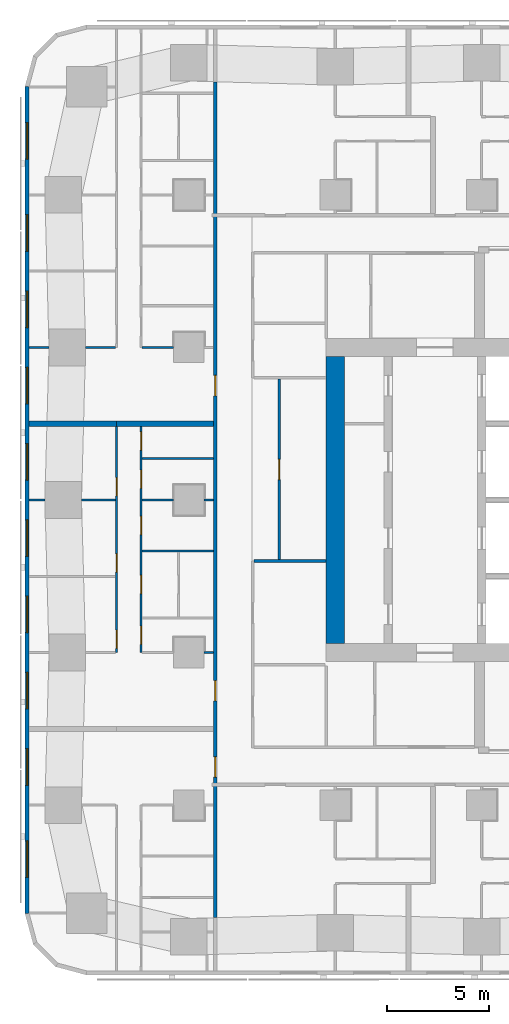
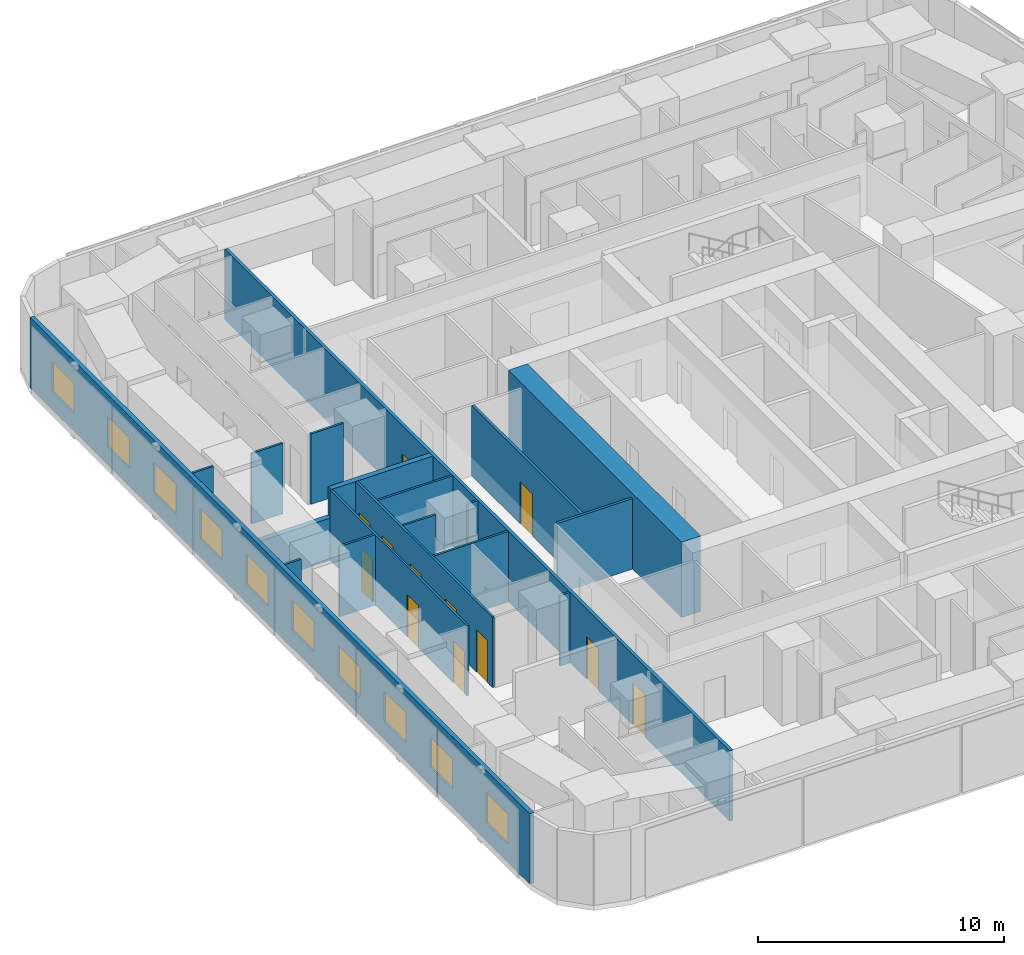
# One storey, part 5 of 15: 19 walls, 12 doors, 10 windows, 22 openings.
"""IFC4 building model written with IfcOpenShell, lengths in metres."""

from ifc_helpers import new_model, si_unit, direction, frame, frame_2d, origin, place, context, subcontext, project, spatial, rectangle, extrude, material, layer, layer_set, type_object, element, fill, save


model = new_model("IFC4")

# Units and contexts
model_context = context("Model", 3, precision=1e-05, world=origin(), true_north=direction((0.0, 1.0)))
body_context = subcontext(model_context, "Body", "Model", "MODEL_VIEW")
ifc_project = project(units=[si_unit("LENGTHUNIT", "METRE"), si_unit("AREAUNIT", "SQUARE_METRE"), si_unit("VOLUMEUNIT", "CUBIC_METRE"), si_unit("PLANEANGLEUNIT", "RADIAN"), si_unit("MASSUNIT", "GRAM", prefix="KILO")], contexts=[model_context])

# Site, building, storey
site_placement = place(None, origin())
site = spatial("IfcSite", under=ifc_project, at=site_placement, CompositionType="ELEMENT")
building_placement = place(site_placement, origin())
building = spatial("IfcBuilding", under=site, at=building_placement, Name="Sheger Commons Tower", CompositionType="ELEMENT")
storey_placement = place(building_placement, frame((0.0, 0.0, 158.300048828125)))
storey = spatial("IfcBuildingStorey", under=building, at=storey_placement, Name="L40", CompositionType="ELEMENT", Elevation=158.300048828125)

# Wall
ifc_material_1 = material(Name="Concrete C50/60", Category="concrete")
ifc_layer_1 = layer(ifc_material_1, 0.89990234375)
ifc_layer_set_1 = layer_set([ifc_layer_1], Name="CORE WALL 900")
wall_type_1 = type_object("IfcWallType", Name="CORE WALL 900", PredefinedType="SHEAR", material=ifc_layer_set_1)
wall_1_placement = place(storey_placement, frame((14.39990234375, 15.449951171875, 0.0), z_axis=(0.0, 0.0, 1.0), x_axis=(0.0, 1.0, 0.0)))
element("IfcWall", 1, at=wall_1_placement, inside=storey, type_object=wall_type_1, Name="Core wall west L40", PredefinedType="SHEAR", context=body_context, shape_type="SweptSolid", body=[
    extrude(rectangle(XDim=14.10009765625, YDim=0.89990234375, at=frame_2d((7.050048828125, 0.0))), origin(), (0.0, 0.0, 1.0), 3.75),
])

# Wall, openings, doors
ifc_material_2 = material(Name="Hollow concrete block masonry, skimmed both sides", Category="masonry")
ifc_layer_2 = layer(ifc_material_2, 0.14990234375)
ifc_layer_set_2 = layer_set([ifc_layer_2], Name="CORRIDOR WALL 150")
wall_type_2 = type_object("IfcWallType", Name="CORRIDOR WALL 150", PredefinedType="SOLIDWALL", material=ifc_layer_set_2)
wall_2_placement = place(storey_placement, frame((8.5, 1.964111328125, 0.0), z_axis=(0.0, 0.0, 1.0), x_axis=(0.0, 1.0, 0.0)))
wall_2 = element("IfcWall", 2, at=wall_2_placement, inside=storey, type_object=wall_type_2, Name="Corridor wall L40", PredefinedType="SOLIDWALL", context=body_context, shape_type="SweptSolid", body=[
    extrude(rectangle(XDim=41.096923828125, YDim=0.14990234375, at=frame_2d((20.54833984375, 0.0))), origin(), (0.0, 0.0, 1.0), 3.5),
])
opening_1_placement = place(wall_2_placement, frame((6.910888671875, 0.0, 0.0)))
opening_1 = element("IfcOpeningElement", 3, at=opening_1_placement, cuts=wall_2, Name="Opening D1", PredefinedType="OPENING", context=body_context, shape_type="SweptSolid", body=[
    extrude(rectangle(XDim=1.0, YDim=2.10009765625, at=frame_2d((0.5, 1.050048828125))), frame((0.0, 0.0849609375, 0.0), z_axis=(0.0, -1.0, 0.0), x_axis=(1.0, 0.0, 0.0)), (0.0, 0.0, 1.0), 0.169921875),
])
opening_2_placement = place(wall_2_placement, frame((10.660888671875, 0.0, 0.0)))
opening_2 = element("IfcOpeningElement", 4, at=opening_2_placement, cuts=wall_2, Name="Opening D1", PredefinedType="OPENING", context=body_context, shape_type="SweptSolid", body=[
    extrude(rectangle(XDim=1.0, YDim=2.10009765625, at=frame_2d((0.5, 1.050048828125))), frame((0.0, 0.0849609375, 0.0), z_axis=(0.0, -1.0, 0.0), x_axis=(1.0, 0.0, 0.0)), (0.0, 0.0, 1.0), 0.169921875),
])
opening_3_placement = place(wall_2_placement, frame((25.660888671875, 0.0, 0.0)))
opening_3 = element("IfcOpeningElement", 5, at=opening_3_placement, cuts=wall_2, Name="Opening D1", PredefinedType="OPENING", context=body_context, shape_type="SweptSolid", body=[
    extrude(rectangle(XDim=1.0, YDim=2.10009765625, at=frame_2d((0.5, 1.050048828125))), frame((0.0, 0.0849609375, 0.0), z_axis=(0.0, -1.0, 0.0), x_axis=(1.0, 0.0, 0.0)), (0.0, 0.0, 1.0), 0.169921875),
])
ifc_material_3 = material(Name="Steel door set, fire rated", Category="steel")
door_type_1 = type_object("IfcDoorType", Name="FLAT ENTRANCE DOOR 1000x2100", OperationType="NOTDEFINED", PredefinedType="DOOR", material=ifc_material_3)
door_1_placement = place(opening_1_placement, origin())
door_1 = element("IfcDoor", 6, at=door_1_placement, inside=storey, type_object=door_type_1, Name="Flat entrance door", OperationType="SINGLE_SWING_RIGHT", OverallHeight=2.10009765625, OverallWidth=1.0, PredefinedType="DOOR", context=body_context, shape_type="SweptSolid", body=[
    extrude(rectangle(XDim=1.0, YDim=2.10009765625, at=frame_2d((0.5, 1.050048828125))), frame((0.0, 0.02490234375, 0.0), z_axis=(0.0, -1.0, 0.0), x_axis=(1.0, 0.0, 0.0)), (0.0, 0.0, 1.0), 0.050048828125),
])
fill(opening_1, door_1)
door_2_placement = place(opening_2_placement, origin())
door_2 = element("IfcDoor", 7, at=door_2_placement, inside=storey, type_object=door_type_1, Name="Flat entrance door", OperationType="SINGLE_SWING_LEFT", OverallHeight=2.10009765625, OverallWidth=1.0, PredefinedType="DOOR", context=body_context, shape_type="SweptSolid", body=[
    extrude(rectangle(XDim=1.0, YDim=2.10009765625, at=frame_2d((0.5, 1.050048828125))), frame((0.0, 0.02490234375, 0.0), z_axis=(0.0, -1.0, 0.0), x_axis=(1.0, 0.0, 0.0)), (0.0, 0.0, 1.0), 0.050048828125),
])
fill(opening_2, door_2)
door_3_placement = place(opening_3_placement, origin())
door_3 = element("IfcDoor", 8, at=door_3_placement, inside=storey, type_object=door_type_1, Name="Flat entrance door", OperationType="SINGLE_SWING_RIGHT", OverallHeight=2.10009765625, OverallWidth=1.0, PredefinedType="DOOR", context=body_context, shape_type="SweptSolid", body=[
    extrude(rectangle(XDim=1.0, YDim=2.10009765625, at=frame_2d((0.5, 1.050048828125))), frame((0.0, 0.02490234375, 0.0), z_axis=(0.0, -1.0, 0.0), x_axis=(1.0, 0.0, 0.0)), (0.0, 0.0, 1.0), 0.050048828125),
])
fill(opening_3, door_3)

# Walls
ifc_material_4 = material(Name="Dense concrete block masonry, plastered both sides (separating wall between flats)", Category="masonry")
ifc_layer_3 = layer(ifc_material_4, 0.25)
ifc_layer_set_3 = layer_set([ifc_layer_3], Name="DEMISING WALL 250")
wall_type_3 = type_object("IfcWallType", Name="DEMISING WALL 250", PredefinedType="SOLIDWALL", material=ifc_layer_set_3)
wall_3_placement = place(storey_placement, frame((-0.64990234375, 26.25, 0.0), z_axis=(0.0, 0.0, 1.0), x_axis=(1.0, 0.0, 0.0)))
element("IfcWall", 9, at=wall_3_placement, inside=storey, type_object=wall_type_3, Name="Demising wall L40", PredefinedType="SOLIDWALL", context=body_context, shape_type="SweptSolid", body=[
    extrude(rectangle(XDim=4.2998046875, YDim=0.25, at=frame_2d((2.14990234375, 0.0))), origin(), (0.0, 0.0, 1.0), 2.099853515625),
])
wall_4_placement = place(storey_placement, frame((3.64990234375, 26.25, 0.0), z_axis=(0.0, 0.0, 1.0), x_axis=(1.0, 0.0, 0.0)))
element("IfcWall", 10, at=wall_4_placement, inside=storey, type_object=wall_type_3, Name="Demising wall L40", PredefinedType="SOLIDWALL", context=body_context, shape_type="SweptSolid", body=[
    extrude(rectangle(XDim=4.775146484375, YDim=0.25, at=frame_2d((2.3876953125, 0.0))), origin(), (0.0, 0.0, 1.0), 3.5),
])

# Wall, openings, windows
ifc_material_5 = material(Name="Rendered concrete block masonry, dark grey", Category="masonry")
ifc_layer_4 = layer(ifc_material_5, 0.199951171875)
ifc_layer_set_4 = layer_set([ifc_layer_4], Name="FACADE WALL 200")
wall_type_4 = type_object("IfcWallType", Name="FACADE WALL 200", PredefinedType="SOLIDWALL", material=ifc_layer_set_4)
wall_5_placement = place(storey_placement, frame((-0.75, 42.8369140625, 0.0), z_axis=(0.0, 0.0, 1.0), x_axis=(0.0, -1.0, 0.0)))
wall_5 = element("IfcWall", 11, at=wall_5_placement, inside=storey, type_object=wall_type_4, Name="Facade wall L40", PredefinedType="SOLIDWALL", context=body_context, shape_type="SweptSolid", body=[
    extrude(rectangle(XDim=40.673828125, YDim=0.199951171875, at=frame_2d((20.3369140625, 0.0))), origin(), (0.0, 0.0, 1.0), 3.5),
])
opening_4_placement = place(wall_5_placement, frame((1.780029296875, 0.0, 0.89990234375)))
opening_4 = element("IfcOpeningElement", 12, at=opening_4_placement, cuts=wall_5, Name="Opening W2", PredefinedType="OPENING", context=body_context, shape_type="SweptSolid", body=[
    extrude(rectangle(XDim=1.800048828125, YDim=1.5, at=frame_2d((0.89990234375, 0.75))), frame((0.0, 0.10986328125, 0.0), z_axis=(0.0, -1.0, 0.0), x_axis=(1.0, 0.0, 0.0)), (0.0, 0.0, 1.0), 0.219970703125),
])
opening_5_placement = place(wall_5_placement, frame((6.31201171875, 0.0, 0.89990234375)))
opening_5 = element("IfcOpeningElement", 13, at=opening_5_placement, cuts=wall_5, Name="Opening W2", PredefinedType="OPENING", context=body_context, shape_type="SweptSolid", body=[
    extrude(rectangle(XDim=1.800048828125, YDim=1.5, at=frame_2d((0.89990234375, 0.75))), frame((0.0, 0.10986328125, 0.0), z_axis=(0.0, -1.0, 0.0), x_axis=(1.0, 0.0, 0.0)), (0.0, 0.0, 1.0), 0.219970703125),
])
opening_6_placement = place(wall_5_placement, frame((10.06201171875, 0.0, 0.89990234375)))
opening_6 = element("IfcOpeningElement", 14, at=opening_6_placement, cuts=wall_5, Name="Opening W2", PredefinedType="OPENING", context=body_context, shape_type="SweptSolid", body=[
    extrude(rectangle(XDim=1.800048828125, YDim=1.5, at=frame_2d((0.89990234375, 0.75))), frame((0.0, 0.10986328125, 0.0), z_axis=(0.0, -1.0, 0.0), x_axis=(1.0, 0.0, 0.0)), (0.0, 0.0, 1.0), 0.219970703125),
])
opening_7_placement = place(wall_5_placement, frame((13.81201171875, 0.0, 0.89990234375)))
opening_7 = element("IfcOpeningElement", 15, at=opening_7_placement, cuts=wall_5, Name="Opening W2", PredefinedType="OPENING", context=body_context, shape_type="SweptSolid", body=[
    extrude(rectangle(XDim=1.800048828125, YDim=1.5, at=frame_2d((0.89990234375, 0.75))), frame((0.0, 0.10986328125, 0.0), z_axis=(0.0, -1.0, 0.0), x_axis=(1.0, 0.0, 0.0)), (0.0, 0.0, 1.0), 0.219970703125),
])
opening_8_placement = place(wall_5_placement, frame((17.56201171875, 0.0, 0.89990234375)))
opening_8 = element("IfcOpeningElement", 16, at=opening_8_placement, cuts=wall_5, Name="Opening W2", PredefinedType="OPENING", context=body_context, shape_type="SweptSolid", body=[
    extrude(rectangle(XDim=1.800048828125, YDim=1.5, at=frame_2d((0.89990234375, 0.75))), frame((0.0, 0.10986328125, 0.0), z_axis=(0.0, -1.0, 0.0), x_axis=(1.0, 0.0, 0.0)), (0.0, 0.0, 1.0), 0.219970703125),
])
opening_9_placement = place(wall_5_placement, frame((21.31201171875, 0.0, 0.89990234375)))
opening_9 = element("IfcOpeningElement", 17, at=opening_9_placement, cuts=wall_5, Name="Opening W2", PredefinedType="OPENING", context=body_context, shape_type="SweptSolid", body=[
    extrude(rectangle(XDim=1.800048828125, YDim=1.5, at=frame_2d((0.89990234375, 0.75))), frame((0.0, 0.10986328125, 0.0), z_axis=(0.0, -1.0, 0.0), x_axis=(1.0, 0.0, 0.0)), (0.0, 0.0, 1.0), 0.219970703125),
])
opening_10_placement = place(wall_5_placement, frame((25.06201171875, 0.0, 0.89990234375)))
opening_10 = element("IfcOpeningElement", 18, at=opening_10_placement, cuts=wall_5, Name="Opening W2", PredefinedType="OPENING", context=body_context, shape_type="SweptSolid", body=[
    extrude(rectangle(XDim=1.800048828125, YDim=1.5, at=frame_2d((0.89990234375, 0.75))), frame((0.0, 0.10986328125, 0.0), z_axis=(0.0, -1.0, 0.0), x_axis=(1.0, 0.0, 0.0)), (0.0, 0.0, 1.0), 0.219970703125),
])
opening_11_placement = place(wall_5_placement, frame((28.81201171875, 0.0, 0.89990234375)))
opening_11 = element("IfcOpeningElement", 19, at=opening_11_placement, cuts=wall_5, Name="Opening W2", PredefinedType="OPENING", context=body_context, shape_type="SweptSolid", body=[
    extrude(rectangle(XDim=1.800048828125, YDim=1.5, at=frame_2d((0.89990234375, 0.75))), frame((0.0, 0.10986328125, 0.0), z_axis=(0.0, -1.0, 0.0), x_axis=(1.0, 0.0, 0.0)), (0.0, 0.0, 1.0), 0.219970703125),
])
opening_12_placement = place(wall_5_placement, frame((32.56201171875, 0.0, 0.89990234375)))
opening_12 = element("IfcOpeningElement", 20, at=opening_12_placement, cuts=wall_5, Name="Opening W2", PredefinedType="OPENING", context=body_context, shape_type="SweptSolid", body=[
    extrude(rectangle(XDim=1.800048828125, YDim=1.5, at=frame_2d((0.89990234375, 0.75))), frame((0.0, 0.10986328125, 0.0), z_axis=(0.0, -1.0, 0.0), x_axis=(1.0, 0.0, 0.0)), (0.0, 0.0, 1.0), 0.219970703125),
])
opening_13_placement = place(wall_5_placement, frame((37.093994140625, 0.0, 0.89990234375)))
opening_13 = element("IfcOpeningElement", 21, at=opening_13_placement, cuts=wall_5, Name="Opening W2", PredefinedType="OPENING", context=body_context, shape_type="SweptSolid", body=[
    extrude(rectangle(XDim=1.800048828125, YDim=1.5, at=frame_2d((0.89990234375, 0.75))), frame((0.0, 0.10986328125, 0.0), z_axis=(0.0, -1.0, 0.0), x_axis=(1.0, 0.0, 0.0)), (0.0, 0.0, 1.0), 0.219970703125),
])
ifc_material_6 = material(Name="Black aluminium frame, dark tinted double glazing", Category="aluminium")
window_type = type_object("IfcWindowType", Name="WINDOW W2 1800x1500", PartitioningType="SINGLE_PANEL", PredefinedType="WINDOW", material=ifc_material_6)
window_1_placement = place(opening_4_placement, origin())
window_1 = element("IfcWindow", 22, at=window_1_placement, inside=storey, type_object=window_type, Name="Window W2 1800X1500", OverallHeight=1.5, OverallWidth=1.800048828125, PartitioningType="SINGLE_PANEL", PredefinedType="WINDOW", context=body_context, shape_type="SweptSolid", body=[
    extrude(rectangle(XDim=1.800048828125, YDim=1.5, at=frame_2d((0.89990234375, 0.75))), frame((0.0, 0.030029296875, 0.0), z_axis=(0.0, -1.0, 0.0), x_axis=(1.0, 0.0, 0.0)), (0.0, 0.0, 1.0), 0.06005859375),
])
fill(opening_4, window_1)
window_2_placement = place(opening_5_placement, origin())
window_2 = element("IfcWindow", 23, at=window_2_placement, inside=storey, type_object=window_type, Name="Window W2 1800X1500", OverallHeight=1.5, OverallWidth=1.800048828125, PartitioningType="SINGLE_PANEL", PredefinedType="WINDOW", context=body_context, shape_type="SweptSolid", body=[
    extrude(rectangle(XDim=1.800048828125, YDim=1.5, at=frame_2d((0.89990234375, 0.75))), frame((0.0, 0.030029296875, 0.0), z_axis=(0.0, -1.0, 0.0), x_axis=(1.0, 0.0, 0.0)), (0.0, 0.0, 1.0), 0.06005859375),
])
fill(opening_5, window_2)
window_3_placement = place(opening_6_placement, origin())
window_3 = element("IfcWindow", 24, at=window_3_placement, inside=storey, type_object=window_type, Name="Window W2 1800X1500", OverallHeight=1.5, OverallWidth=1.800048828125, PartitioningType="SINGLE_PANEL", PredefinedType="WINDOW", context=body_context, shape_type="SweptSolid", body=[
    extrude(rectangle(XDim=1.800048828125, YDim=1.5, at=frame_2d((0.89990234375, 0.75))), frame((0.0, 0.030029296875, 0.0), z_axis=(0.0, -1.0, 0.0), x_axis=(1.0, 0.0, 0.0)), (0.0, 0.0, 1.0), 0.06005859375),
])
fill(opening_6, window_3)
window_4_placement = place(opening_7_placement, origin())
window_4 = element("IfcWindow", 25, at=window_4_placement, inside=storey, type_object=window_type, Name="Window W2 1800X1500", OverallHeight=1.5, OverallWidth=1.800048828125, PartitioningType="SINGLE_PANEL", PredefinedType="WINDOW", context=body_context, shape_type="SweptSolid", body=[
    extrude(rectangle(XDim=1.800048828125, YDim=1.5, at=frame_2d((0.89990234375, 0.75))), frame((0.0, 0.030029296875, 0.0), z_axis=(0.0, -1.0, 0.0), x_axis=(1.0, 0.0, 0.0)), (0.0, 0.0, 1.0), 0.06005859375),
])
fill(opening_7, window_4)
window_5_placement = place(opening_8_placement, origin())
window_5 = element("IfcWindow", 26, at=window_5_placement, inside=storey, type_object=window_type, Name="Window W2 1800X1500", OverallHeight=1.5, OverallWidth=1.800048828125, PartitioningType="SINGLE_PANEL", PredefinedType="WINDOW", context=body_context, shape_type="SweptSolid", body=[
    extrude(rectangle(XDim=1.800048828125, YDim=1.5, at=frame_2d((0.89990234375, 0.75))), frame((0.0, 0.030029296875, 0.0), z_axis=(0.0, -1.0, 0.0), x_axis=(1.0, 0.0, 0.0)), (0.0, 0.0, 1.0), 0.06005859375),
])
fill(opening_8, window_5)
window_6_placement = place(opening_9_placement, origin())
window_6 = element("IfcWindow", 27, at=window_6_placement, inside=storey, type_object=window_type, Name="Window W2 1800X1500", OverallHeight=1.5, OverallWidth=1.800048828125, PartitioningType="SINGLE_PANEL", PredefinedType="WINDOW", context=body_context, shape_type="SweptSolid", body=[
    extrude(rectangle(XDim=1.800048828125, YDim=1.5, at=frame_2d((0.89990234375, 0.75))), frame((0.0, 0.030029296875, 0.0), z_axis=(0.0, -1.0, 0.0), x_axis=(1.0, 0.0, 0.0)), (0.0, 0.0, 1.0), 0.06005859375),
])
fill(opening_9, window_6)
window_7_placement = place(opening_10_placement, origin())
window_7 = element("IfcWindow", 28, at=window_7_placement, inside=storey, type_object=window_type, Name="Window W2 1800X1500", OverallHeight=1.5, OverallWidth=1.800048828125, PartitioningType="SINGLE_PANEL", PredefinedType="WINDOW", context=body_context, shape_type="SweptSolid", body=[
    extrude(rectangle(XDim=1.800048828125, YDim=1.5, at=frame_2d((0.89990234375, 0.75))), frame((0.0, 0.030029296875, 0.0), z_axis=(0.0, -1.0, 0.0), x_axis=(1.0, 0.0, 0.0)), (0.0, 0.0, 1.0), 0.06005859375),
])
fill(opening_10, window_7)
window_8_placement = place(opening_11_placement, origin())
window_8 = element("IfcWindow", 29, at=window_8_placement, inside=storey, type_object=window_type, Name="Window W2 1800X1500", OverallHeight=1.5, OverallWidth=1.800048828125, PartitioningType="SINGLE_PANEL", PredefinedType="WINDOW", context=body_context, shape_type="SweptSolid", body=[
    extrude(rectangle(XDim=1.800048828125, YDim=1.5, at=frame_2d((0.89990234375, 0.75))), frame((0.0, 0.030029296875, 0.0), z_axis=(0.0, -1.0, 0.0), x_axis=(1.0, 0.0, 0.0)), (0.0, 0.0, 1.0), 0.06005859375),
])
fill(opening_11, window_8)
window_9_placement = place(opening_12_placement, origin())
window_9 = element("IfcWindow", 30, at=window_9_placement, inside=storey, type_object=window_type, Name="Window W2 1800X1500", OverallHeight=1.5, OverallWidth=1.800048828125, PartitioningType="SINGLE_PANEL", PredefinedType="WINDOW", context=body_context, shape_type="SweptSolid", body=[
    extrude(rectangle(XDim=1.800048828125, YDim=1.5, at=frame_2d((0.89990234375, 0.75))), frame((0.0, 0.030029296875, 0.0), z_axis=(0.0, -1.0, 0.0), x_axis=(1.0, 0.0, 0.0)), (0.0, 0.0, 1.0), 0.06005859375),
])
fill(opening_12, window_9)
window_10_placement = place(opening_13_placement, origin())
window_10 = element("IfcWindow", 31, at=window_10_placement, inside=storey, type_object=window_type, Name="Window W2 1800X1500", OverallHeight=1.5, OverallWidth=1.800048828125, PartitioningType="SINGLE_PANEL", PredefinedType="WINDOW", context=body_context, shape_type="SweptSolid", body=[
    extrude(rectangle(XDim=1.800048828125, YDim=1.5, at=frame_2d((0.89990234375, 0.75))), frame((0.0, 0.030029296875, 0.0), z_axis=(0.0, -1.0, 0.0), x_axis=(1.0, 0.0, 0.0)), (0.0, 0.0, 1.0), 0.06005859375),
])
fill(opening_13, window_10)

# Wall, openings, doors
ifc_material_7 = material(Name="Gypsum board on steel studs", Category="steel")
ifc_layer_5 = layer(ifc_material_7, 0.10009765625)
ifc_layer_set_5 = layer_set([ifc_layer_5], Name="PARTITION 100")
wall_type_5 = type_object("IfcWallType", Name="PARTITION 100", PredefinedType="PARTITIONING", material=ifc_layer_set_5)
wall_6_placement = place(storey_placement, frame((3.64990234375, 15.0, 0.0), z_axis=(0.0, 0.0, 1.0), x_axis=(0.0, 1.0, 0.0)))
wall_6 = element("IfcWall", 32, at=wall_6_placement, inside=storey, type_object=wall_type_5, Name="Partition L40", PredefinedType="PARTITIONING", context=body_context, shape_type="SweptSolid", body=[
    extrude(rectangle(XDim=11.125, YDim=0.10009765625, at=frame_2d((5.5625, 0.0))), origin(), (0.0, 0.0, 1.0), 3.5),
])
opening_14_placement = place(wall_6_placement, frame((0.199951171875, 0.0, 0.0)))
opening_14 = element("IfcOpeningElement", 33, at=opening_14_placement, cuts=wall_6, Name="Opening D2", PredefinedType="OPENING", context=body_context, shape_type="SweptSolid", body=[
    extrude(rectangle(XDim=0.89990234375, YDim=2.10009765625, at=frame_2d((0.449951171875, 1.050048828125))), frame((0.0, 0.06005859375, 0.0), z_axis=(0.0, -1.0, 0.0), x_axis=(1.0, 0.0, 0.0)), (0.0, 0.0, 1.0), 0.1201171875),
])
opening_15_placement = place(wall_6_placement, frame((3.949951171875, 0.0, 0.0)))
opening_15 = element("IfcOpeningElement", 34, at=opening_15_placement, cuts=wall_6, Name="Opening D2", PredefinedType="OPENING", context=body_context, shape_type="SweptSolid", body=[
    extrude(rectangle(XDim=0.89990234375, YDim=2.10009765625, at=frame_2d((0.449951171875, 1.050048828125))), frame((0.0, 0.06005859375, 0.0), z_axis=(0.0, -1.0, 0.0), x_axis=(1.0, 0.0, 0.0)), (0.0, 0.0, 1.0), 0.1201171875),
])
opening_16_placement = place(wall_6_placement, frame((7.699951171875, 0.0, 0.0)))
opening_16 = element("IfcOpeningElement", 35, at=opening_16_placement, cuts=wall_6, Name="Opening D2", PredefinedType="OPENING", context=body_context, shape_type="SweptSolid", body=[
    extrude(rectangle(XDim=0.89990234375, YDim=2.10009765625, at=frame_2d((0.449951171875, 1.050048828125))), frame((0.0, 0.06005859375, 0.0), z_axis=(0.0, -1.0, 0.0), x_axis=(1.0, 0.0, 0.0)), (0.0, 0.0, 1.0), 0.1201171875),
])
ifc_material_8 = material(Name="Timber door set", Category="wood")
door_type_2 = type_object("IfcDoorType", Name="INTERNAL DOOR 900x2100", OperationType="NOTDEFINED", PredefinedType="DOOR", material=ifc_material_8)
door_4_placement = place(opening_14_placement, origin())
door_4 = element("IfcDoor", 36, at=door_4_placement, inside=storey, type_object=door_type_2, Name="Main bedroom door", OperationType="SINGLE_SWING_LEFT", OverallHeight=2.10009765625, OverallWidth=0.89990234375, PredefinedType="DOOR", context=body_context, shape_type="SweptSolid", body=[
    extrude(rectangle(XDim=0.89990234375, YDim=2.10009765625, at=frame_2d((0.449951171875, 1.050048828125))), frame((0.0, 0.02490234375, 0.0), z_axis=(0.0, -1.0, 0.0), x_axis=(1.0, 0.0, 0.0)), (0.0, 0.0, 1.0), 0.050048828125),
])
fill(opening_14, door_4)
door_5_placement = place(opening_15_placement, origin())
door_5 = element("IfcDoor", 37, at=door_5_placement, inside=storey, type_object=door_type_2, Name="Bedroom 2 door", OperationType="SINGLE_SWING_LEFT", OverallHeight=2.10009765625, OverallWidth=0.89990234375, PredefinedType="DOOR", context=body_context, shape_type="SweptSolid", body=[
    extrude(rectangle(XDim=0.89990234375, YDim=2.10009765625, at=frame_2d((0.449951171875, 1.050048828125))), frame((0.0, 0.02490234375, 0.0), z_axis=(0.0, -1.0, 0.0), x_axis=(1.0, 0.0, 0.0)), (0.0, 0.0, 1.0), 0.050048828125),
])
fill(opening_15, door_5)
door_6_placement = place(opening_16_placement, origin())
door_6 = element("IfcDoor", 38, at=door_6_placement, inside=storey, type_object=door_type_2, Name="Bedroom 3 door", OperationType="SINGLE_SWING_LEFT", OverallHeight=2.10009765625, OverallWidth=0.89990234375, PredefinedType="DOOR", context=body_context, shape_type="SweptSolid", body=[
    extrude(rectangle(XDim=0.89990234375, YDim=2.10009765625, at=frame_2d((0.449951171875, 1.050048828125))), frame((0.0, 0.02490234375, 0.0), z_axis=(0.0, -1.0, 0.0), x_axis=(1.0, 0.0, 0.0)), (0.0, 0.0, 1.0), 0.050048828125),
])
fill(opening_16, door_6)

wall_7_placement = place(storey_placement, frame((4.85009765625, 15.0, 0.0), z_axis=(0.0, 0.0, 1.0), x_axis=(0.0, 1.0, 0.0)))
wall_7 = element("IfcWall", 39, at=wall_7_placement, inside=storey, type_object=wall_type_5, Name="Partition L40", PredefinedType="PARTITIONING", context=body_context, shape_type="SweptSolid", body=[
    extrude(rectangle(XDim=11.125, YDim=0.10009765625, at=frame_2d((5.5625, 0.0))), origin(), (0.0, 0.0, 1.0), 3.5),
])
opening_17_placement = place(wall_7_placement, frame((0.39990234375, 0.0, 0.0)))
opening_17 = element("IfcOpeningElement", 40, at=opening_17_placement, cuts=wall_7, Name="Opening D2", PredefinedType="OPENING", context=body_context, shape_type="SweptSolid", body=[
    extrude(rectangle(XDim=0.89990234375, YDim=2.10009765625, at=frame_2d((0.449951171875, 1.050048828125))), frame((0.0, 0.06005859375, 0.0), z_axis=(0.0, -1.0, 0.0), x_axis=(1.0, 0.0, 0.0)), (0.0, 0.0, 1.0), 0.1201171875),
])
opening_18_placement = place(wall_7_placement, frame((5.799072265625, 0.0, 0.0)))
opening_18 = element("IfcOpeningElement", 41, at=opening_18_placement, cuts=wall_7, Name="Opening D2", PredefinedType="OPENING", context=body_context, shape_type="SweptSolid", body=[
    extrude(rectangle(XDim=0.89990234375, YDim=2.10009765625, at=frame_2d((0.449951171875, 1.050048828125))), frame((0.0, 0.06005859375, 0.0), z_axis=(0.0, -1.0, 0.0), x_axis=(1.0, 0.0, 0.0)), (0.0, 0.0, 1.0), 0.1201171875),
])
opening_19_placement = place(wall_7_placement, frame((8.074951171875, 0.0, 0.0)))
opening_19 = element("IfcOpeningElement", 42, at=opening_19_placement, cuts=wall_7, Name="Opening D2", PredefinedType="OPENING", context=body_context, shape_type="SweptSolid", body=[
    extrude(rectangle(XDim=0.89990234375, YDim=2.10009765625, at=frame_2d((0.449951171875, 1.050048828125))), frame((0.0, 0.06005859375, 0.0), z_axis=(0.0, -1.0, 0.0), x_axis=(1.0, 0.0, 0.0)), (0.0, 0.0, 1.0), 0.1201171875),
])
opening_20_placement = place(wall_7_placement, frame((2.89892578125, 0.0, 0.0)))
opening_20 = element("IfcOpeningElement", 43, at=opening_20_placement, cuts=wall_7, Name="Opening D2", PredefinedType="OPENING", context=body_context, shape_type="SweptSolid", body=[
    extrude(rectangle(XDim=0.89990234375, YDim=2.10009765625, at=frame_2d((0.449951171875, 1.050048828125))), frame((0.0, 0.06005859375, 0.0), z_axis=(0.0, -1.0, 0.0), x_axis=(1.0, 0.0, 0.0)), (0.0, 0.0, 1.0), 0.1201171875),
])
opening_21_placement = place(wall_7_placement, frame((9.949951171875, 0.0, 0.0)))
opening_21 = element("IfcOpeningElement", 44, at=opening_21_placement, cuts=wall_7, Name="Opening D2", PredefinedType="OPENING", context=body_context, shape_type="SweptSolid", body=[
    extrude(rectangle(XDim=0.89990234375, YDim=2.10009765625, at=frame_2d((0.449951171875, 1.050048828125))), frame((0.0, 0.06005859375, 0.0), z_axis=(0.0, -1.0, 0.0), x_axis=(1.0, 0.0, 0.0)), (0.0, 0.0, 1.0), 0.1201171875),
])
door_7_placement = place(opening_17_placement, origin())
door_7 = element("IfcDoor", 45, at=door_7_placement, inside=storey, type_object=door_type_2, Name="Laundry room door", OperationType="SINGLE_SWING_RIGHT", OverallHeight=2.10009765625, OverallWidth=0.89990234375, PredefinedType="DOOR", context=body_context, shape_type="SweptSolid", body=[
    extrude(rectangle(XDim=0.89990234375, YDim=2.10009765625, at=frame_2d((0.449951171875, 1.050048828125))), frame((0.0, 0.02490234375, 0.0), z_axis=(0.0, -1.0, 0.0), x_axis=(1.0, 0.0, 0.0)), (0.0, 0.0, 1.0), 0.050048828125),
])
fill(opening_17, door_7)
door_8_placement = place(opening_18_placement, origin())
door_8 = element("IfcDoor", 46, at=door_8_placement, inside=storey, type_object=door_type_2, Name="Store and laundry door", OperationType="SINGLE_SWING_LEFT", OverallHeight=2.10009765625, OverallWidth=0.89990234375, PredefinedType="DOOR", context=body_context, shape_type="SweptSolid", body=[
    extrude(rectangle(XDim=0.89990234375, YDim=2.10009765625, at=frame_2d((0.449951171875, 1.050048828125))), frame((0.0, 0.02490234375, 0.0), z_axis=(0.0, -1.0, 0.0), x_axis=(1.0, 0.0, 0.0)), (0.0, 0.0, 1.0), 0.050048828125),
])
fill(opening_18, door_8)
door_9_placement = place(opening_19_placement, origin())
door_9 = element("IfcDoor", 47, at=door_9_placement, inside=storey, type_object=door_type_2, Name="Bathroom door", OperationType="SINGLE_SWING_LEFT", OverallHeight=2.10009765625, OverallWidth=0.89990234375, PredefinedType="DOOR", context=body_context, shape_type="SweptSolid", body=[
    extrude(rectangle(XDim=0.89990234375, YDim=2.10009765625, at=frame_2d((0.449951171875, 1.050048828125))), frame((0.0, 0.02490234375, 0.0), z_axis=(0.0, -1.0, 0.0), x_axis=(1.0, 0.0, 0.0)), (0.0, 0.0, 1.0), 0.050048828125),
])
fill(opening_19, door_9)
door_10_placement = place(opening_20_placement, origin())
door_10 = element("IfcDoor", 48, at=door_10_placement, inside=storey, type_object=door_type_2, Name="Store door", OperationType="SINGLE_SWING_RIGHT", OverallHeight=2.10009765625, OverallWidth=0.89990234375, PredefinedType="DOOR", context=body_context, shape_type="SweptSolid", body=[
    extrude(rectangle(XDim=0.89990234375, YDim=2.10009765625, at=frame_2d((0.449951171875, 1.050048828125))), frame((0.0, 0.02490234375, 0.0), z_axis=(0.0, -1.0, 0.0), x_axis=(1.0, 0.0, 0.0)), (0.0, 0.0, 1.0), 0.050048828125),
])
fill(opening_20, door_10)
door_11_placement = place(opening_21_placement, origin())
door_11 = element("IfcDoor", 49, at=door_11_placement, inside=storey, type_object=door_type_2, Name="Store door", OperationType="SINGLE_SWING_LEFT", OverallHeight=2.10009765625, OverallWidth=0.89990234375, PredefinedType="DOOR", context=body_context, shape_type="SweptSolid", body=[
    extrude(rectangle(XDim=0.89990234375, YDim=2.10009765625, at=frame_2d((0.449951171875, 1.050048828125))), frame((0.0, 0.02490234375, 0.0), z_axis=(0.0, -1.0, 0.0), x_axis=(1.0, 0.0, 0.0)), (0.0, 0.0, 1.0), 0.050048828125),
])
fill(opening_21, door_11)

# Walls
wall_8_placement = place(storey_placement, frame((-0.64990234375, 22.5, 0.0), z_axis=(0.0, 0.0, 1.0), x_axis=(1.0, 0.0, 0.0)))
element("IfcWall", 50, at=wall_8_placement, inside=storey, type_object=wall_type_5, Name="Partition L40", PredefinedType="PARTITIONING", context=body_context, shape_type="SweptSolid", body=[
    extrude(rectangle(XDim=0.77392578125, YDim=0.10009765625, at=frame_2d((0.386962890625, 0.0))), origin(), (0.0, 0.0, 1.0), 3.5),
])
wall_9_placement = place(storey_placement, frame((1.926025390625, 22.5, 0.0), z_axis=(0.0, 0.0, 1.0), x_axis=(1.0, 0.0, 0.0)))
element("IfcWall", 51, at=wall_9_placement, inside=storey, type_object=wall_type_5, Name="Partition L40", PredefinedType="PARTITIONING", context=body_context, shape_type="SweptSolid", body=[
    extrude(rectangle(XDim=1.674072265625, YDim=0.10009765625, at=frame_2d((0.8369140625, 0.0))), origin(), (0.0, 0.0, 1.0), 3.5),
])
wall_10_placement = place(storey_placement, frame((7.950927734375, 15.0, 0.0), z_axis=(0.0, 0.0, 1.0), x_axis=(1.0, 0.0, 0.0)))
element("IfcWall", 52, at=wall_10_placement, inside=storey, type_object=wall_type_5, Name="Partition L40", PredefinedType="PARTITIONING", context=body_context, shape_type="SweptSolid", body=[
    extrude(rectangle(XDim=0.47412109375, YDim=0.10009765625, at=frame_2d((0.237060546875, 0.0))), origin(), (0.0, 0.0, 1.0), 3.5),
])
wall_11_placement = place(storey_placement, frame((4.89990234375, 19.9990234375, 0.0), z_axis=(0.0, 0.0, 1.0), x_axis=(1.0, 0.0, 0.0)))
element("IfcWall", 53, at=wall_11_placement, inside=storey, type_object=wall_type_5, Name="Partition L40", PredefinedType="PARTITIONING", context=body_context, shape_type="SweptSolid", body=[
    extrude(rectangle(XDim=3.525146484375, YDim=0.10009765625, at=frame_2d((1.7626953125, 0.0))), origin(), (0.0, 0.0, 1.0), 3.5),
])
wall_12_placement = place(storey_placement, frame((4.89990234375, 22.5, 0.0), z_axis=(0.0, 0.0, 1.0), x_axis=(1.0, 0.0, 0.0)))
element("IfcWall", 54, at=wall_12_placement, inside=storey, type_object=wall_type_5, Name="Partition L40", PredefinedType="PARTITIONING", context=body_context, shape_type="SweptSolid", body=[
    extrude(rectangle(XDim=1.549072265625, YDim=0.10009765625, at=frame_2d((0.7744140625, 0.0))), origin(), (0.0, 0.0, 1.0), 3.5),
])
wall_13_placement = place(storey_placement, frame((7.950927734375, 22.5, 0.0), z_axis=(0.0, 0.0, 1.0), x_axis=(1.0, 0.0, 0.0)))
element("IfcWall", 55, at=wall_13_placement, inside=storey, type_object=wall_type_5, Name="Partition L40", PredefinedType="PARTITIONING", context=body_context, shape_type="SweptSolid", body=[
    extrude(rectangle(XDim=0.47412109375, YDim=0.10009765625, at=frame_2d((0.237060546875, 0.0))), origin(), (0.0, 0.0, 1.0), 3.5),
])
wall_14_placement = place(storey_placement, frame((4.89990234375, 24.550048828125, 0.0), z_axis=(0.0, 0.0, 1.0), x_axis=(1.0, 0.0, 0.0)))
element("IfcWall", 56, at=wall_14_placement, inside=storey, type_object=wall_type_5, Name="Partition L40", PredefinedType="PARTITIONING", context=body_context, shape_type="SweptSolid", body=[
    extrude(rectangle(XDim=3.525146484375, YDim=0.10009765625, at=frame_2d((1.7626953125, 0.0))), origin(), (0.0, 0.0, 1.0), 3.5),
])
wall_15_placement = place(storey_placement, frame((-0.64990234375, 30.0, 0.0), z_axis=(0.0, 0.0, 1.0), x_axis=(1.0, 0.0, 0.0)))
element("IfcWall", 57, at=wall_15_placement, inside=storey, type_object=wall_type_5, Name="Partition L40", PredefinedType="PARTITIONING", context=body_context, shape_type="SweptSolid", body=[
    extrude(rectangle(XDim=0.973876953125, YDim=0.10009765625, at=frame_2d((0.48681640625, 0.0))), origin(), (0.0, 0.0, 1.0), 3.5),
])
wall_16_placement = place(storey_placement, frame((2.1259765625, 30.0, 0.0), z_axis=(0.0, 0.0, 1.0), x_axis=(1.0, 0.0, 0.0)))
element("IfcWall", 58, at=wall_16_placement, inside=storey, type_object=wall_type_5, Name="Partition L40", PredefinedType="PARTITIONING", context=body_context, shape_type="SweptSolid", body=[
    extrude(rectangle(XDim=1.47412109375, YDim=0.10009765625, at=frame_2d((0.737060546875, 0.0))), origin(), (0.0, 0.0, 1.0), 3.5),
])
wall_17_placement = place(storey_placement, frame((4.89990234375, 30.0, 0.0), z_axis=(0.0, 0.0, 1.0), x_axis=(1.0, 0.0, 0.0)))
element("IfcWall", 59, at=wall_17_placement, inside=storey, type_object=wall_type_5, Name="Partition L40", PredefinedType="PARTITIONING", context=body_context, shape_type="SweptSolid", body=[
    extrude(rectangle(XDim=1.549072265625, YDim=0.10009765625, at=frame_2d((0.7744140625, 0.0))), origin(), (0.0, 0.0, 1.0), 3.5),
])

# Wall, opening, door
ifc_material_9 = material(Name="Gypsum board on steel studs, two layers each side, fire rated", Category="steel")
ifc_layer_6 = layer(ifc_material_9, 0.125)
ifc_layer_set_6 = layer_set([ifc_layer_6], Name="SERVICE WALL 125")
wall_type_6 = type_object("IfcWallType", Name="SERVICE WALL 125", PredefinedType="PARTITIONING", material=ifc_layer_set_6)
wall_18_placement = place(storey_placement, frame((11.64990234375, 19.56201171875, 0.0), z_axis=(0.0, 0.0, 1.0), x_axis=(0.0, 1.0, 0.0)))
wall_18 = element("IfcWall", 60, at=wall_18_placement, inside=storey, type_object=wall_type_6, Name="Service room wall L40", PredefinedType="PARTITIONING", context=body_context, shape_type="SweptSolid", body=[
    extrude(rectangle(XDim=8.8759765625, YDim=0.125, at=frame_2d((4.43798828125, 0.0))), origin(), (0.0, 0.0, 1.0), 3.5),
])
opening_22_placement = place(wall_18_placement, frame((3.93798828125, 0.0, 0.0)))
opening_22 = element("IfcOpeningElement", 61, at=opening_22_placement, cuts=wall_18, Name="Opening D4", PredefinedType="OPENING", context=body_context, shape_type="SweptSolid", body=[
    extrude(rectangle(XDim=1.0, YDim=2.10009765625, at=frame_2d((0.5, 1.050048828125))), frame((0.0, 0.072509765625, 0.0), z_axis=(0.0, -1.0, 0.0), x_axis=(1.0, 0.0, 0.0)), (0.0, 0.0, 1.0), 0.14501953125),
])
ifc_material_10 = material(Name="Steel door set, fire rated", Category="steel")
door_type_3 = type_object("IfcDoorType", Name="SERVICE DOOR 1000x2100", OperationType="NOTDEFINED", PredefinedType="DOOR", material=ifc_material_10)
door_12_placement = place(opening_22_placement, origin())
door_12 = element("IfcDoor", 62, at=door_12_placement, inside=storey, type_object=door_type_3, Name="Residents' hobby room door", OperationType="SINGLE_SWING_RIGHT", OverallHeight=2.10009765625, OverallWidth=1.0, PredefinedType="DOOR", context=body_context, shape_type="SweptSolid", body=[
    extrude(rectangle(XDim=1.0, YDim=2.10009765625, at=frame_2d((0.5, 1.050048828125))), frame((0.0, 0.02490234375, 0.0), z_axis=(0.0, -1.0, 0.0), x_axis=(1.0, 0.0, 0.0)), (0.0, 0.0, 1.0), 0.050048828125),
])
fill(opening_22, door_12)

# Wall
wall_19_placement = place(storey_placement, frame((10.4130859375, 19.5, 0.0), z_axis=(0.0, 0.0, 1.0), x_axis=(1.0, 0.0, 0.0)))
element("IfcWall", 63, at=wall_19_placement, inside=storey, type_object=wall_type_6, Name="Service room wall L40", PredefinedType="PARTITIONING", context=body_context, shape_type="SweptSolid", body=[
    extrude(rectangle(XDim=3.536865234375, YDim=0.125, at=frame_2d((1.7685546875, 0.0))), origin(), (0.0, 0.0, 1.0), 3.5),
])

save(model, "model.ifc")
